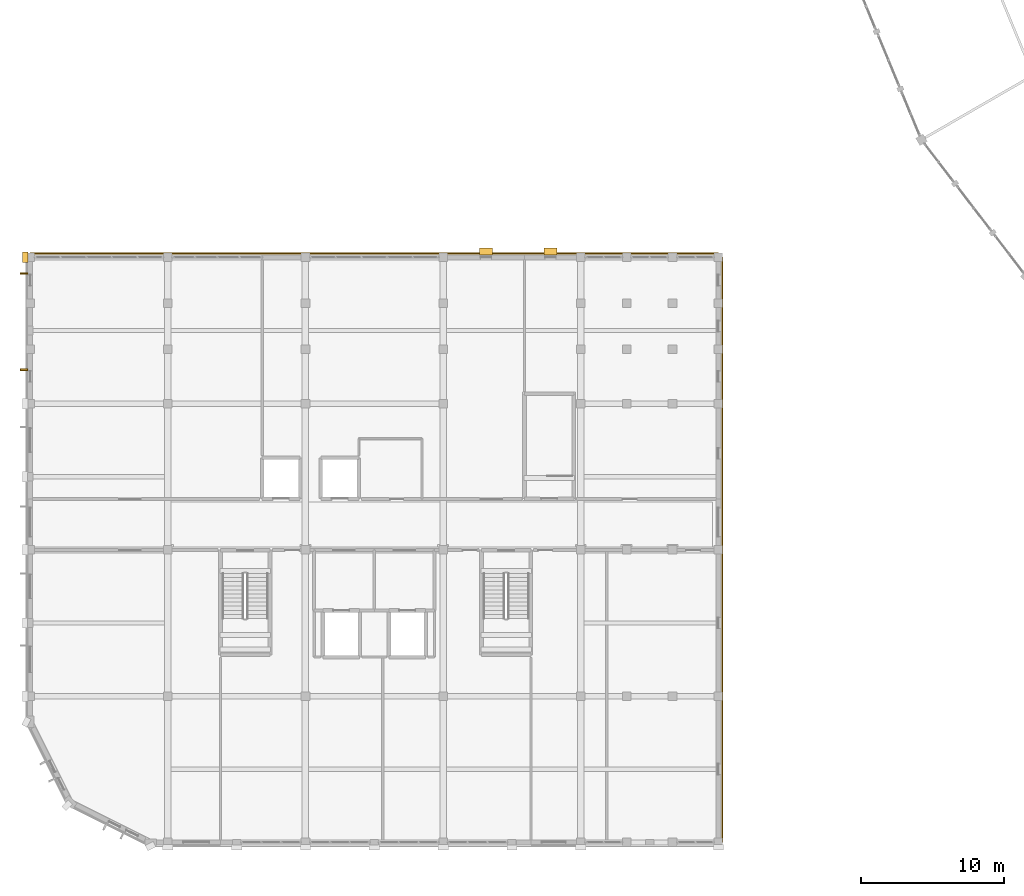
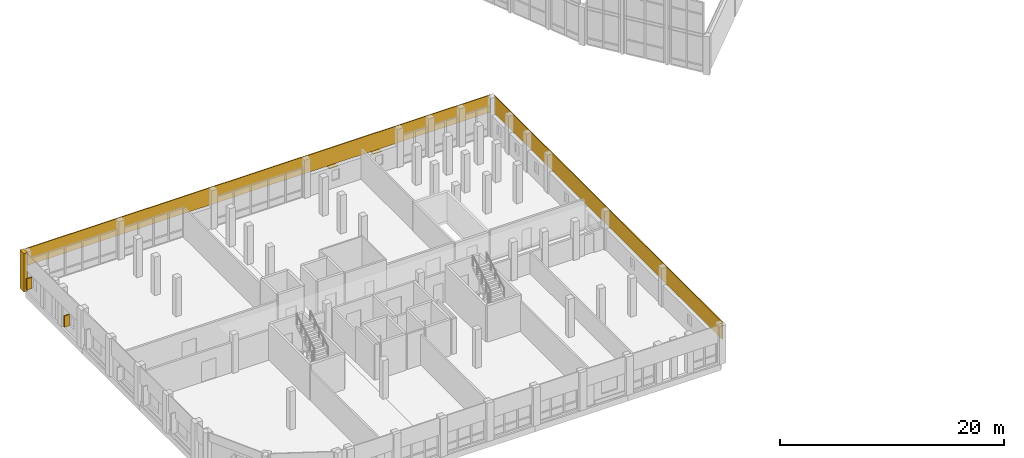
# One storey, part 91 of 93: 4 shading devices, 3 coverings.
"""IFC4 building model written with IfcOpenShell, lengths in metres."""

import ifcopenshell
import ifcopenshell.guid

model = None  # the IFC model being written
_history = None  # IfcOwnerHistory: only IFC2X3 demands one
_inside = {}  # id of a spatial element -> (the spatial element, [elements in it])
_under = {}  # id of a project, library or spatial element -> (it, [spatial elements below it])
_declared = {}  # id of a project -> (the project, [libraries it declares])
_typed = {}  # id of a type object -> (the type object, [elements of that type])
_made_of = {}  # id of a material, layer set ... -> (it, [elements and type objects made of it])


def new_model(schema):
    """Start an empty IFC model of exactly this schema.

    Asked for "IFC4X3", IfcOpenShell would pick the latest addendum, in which some entities
    have other attributes; the version numbers below select the first issue.
    IFC2X3 requires an IfcOwnerHistory on every rooted entity: one is made here for all.
    """
    global model, _history
    if schema == "IFC4X3":
        model = ifcopenshell.file(schema_version=(4, 3, 0, 0))
    else:
        model = ifcopenshell.file(schema=schema)
    _inside.clear()
    _under.clear()
    _declared.clear()
    _typed.clear()
    _made_of.clear()
    _history = None
    if model.schema == "IFC2X3":
        org = make("IfcOrganization", Name="unknown")
        user = make(
            "IfcPersonAndOrganization",
            ThePerson=make("IfcPerson", FamilyName="unknown"),
            TheOrganization=org,
        )
        app = make(
            "IfcApplication",
            ApplicationDeveloper=org,
            Version="unknown",
            ApplicationFullName="unknown",
            ApplicationIdentifier="unknown",
        )
        _history = make(
            "IfcOwnerHistory",
            OwningUser=user,
            OwningApplication=app,
            ChangeAction="ADDED",
            CreationDate=0,
        )
    return model


def make(cls, **values):
    """One entity of the class cls with the attributes given. An attribute that is None is left unset."""
    return model.create_entity(
        cls, **{name: value for name, value in values.items() if value is not None}
    )


def rooted(cls, **values):
    """An entity with a GlobalId (a new one), such as an element, a storey or a relation."""
    return make(cls, GlobalId=ifcopenshell.guid.new(), OwnerHistory=_history, **values)


def si_unit(unit_type, name, prefix=None):
    """IfcSIUnit, for example si_unit("LENGTHUNIT", "METRE", prefix="MILLI")."""
    return make("IfcSIUnit", UnitType=unit_type, Prefix=prefix, Name=name)


def assignment(units):
    """IfcUnitAssignment: the units of a project."""
    return None if units is None else make("IfcUnitAssignment", Units=units)


def point(xyz):
    """IfcCartesianPoint."""
    return None if xyz is None else make("IfcCartesianPoint", Coordinates=xyz)


def direction(xyz):
    """IfcDirection."""
    return None if xyz is None else make("IfcDirection", DirectionRatios=xyz)


def frame(location, z_axis=None, x_axis=None):
    """IfcAxis2Placement3D, a coordinate frame: its origin and axes. An axis left out is left unset."""
    return make(
        "IfcAxis2Placement3D",
        Location=point(location),
        Axis=direction(z_axis),
        RefDirection=direction(x_axis),
    )


def frame_2d(location, x_axis=None):
    """IfcAxis2Placement2D, a coordinate frame in the plane: its origin and x axis."""
    return make(
        "IfcAxis2Placement2D", Location=point(location), RefDirection=direction(x_axis)
    )


def origin():
    """The frame at (0, 0, 0) with its axes left unset."""
    return frame((0.0, 0.0, 0.0))


def origin_2d():
    """The frame at (0, 0) in the plane with its x axis left unset."""
    return frame_2d((0.0, 0.0))


def place(relative_to, where):
    """IfcLocalPlacement: puts the frame where relative to a parent placement (None: the world)."""
    return make(
        "IfcLocalPlacement", PlacementRelTo=relative_to, RelativePlacement=where
    )


def context(
    kind, dimensions, precision=None, world=None, true_north=None, identifier=None
):
    """IfcGeometricRepresentationContext, for example the 3D "Model" context."""
    return make(
        "IfcGeometricRepresentationContext",
        ContextIdentifier=identifier,
        ContextType=kind,
        CoordinateSpaceDimension=dimensions,
        Precision=precision,
        WorldCoordinateSystem=world,
        TrueNorth=true_north,
    )


def subcontext(parent, identifier, kind, view, scale=None):
    """IfcGeometricRepresentationSubContext, for example "Body" below "Model"."""
    return make(
        "IfcGeometricRepresentationSubContext",
        ContextIdentifier=identifier,
        ContextType=kind,
        ParentContext=parent,
        TargetScale=scale,
        TargetView=view,
    )


def project(units=None, contexts=None):
    """IfcProject with its units and contexts."""
    return rooted(
        "IfcProject",
        Name="project",
        RepresentationContexts=contexts,
        UnitsInContext=assignment(units),
    )


def spatial(cls, under=None, at=None, **own):
    """A site, building, storey or space (cls), placed at a placement, below another one or the project."""
    s = rooted(cls, ObjectPlacement=at, **own)
    if under is not None:
        _under.setdefault(under.id(), (under, []))[1].append(s)
    return s


def profile(cls, at=None, kind="AREA", **sizes):
    """A parametric profile (cls). Its sizes go by their IFC names, for example OverallWidth=200.0."""
    return make(cls, ProfileType=kind, Position=at, **sizes)


def rectangle(**sizes):
    """IfcRectangleProfileDef."""
    return profile("IfcRectangleProfileDef", **sizes)


def extrude(swept, where, along, depth):
    """IfcExtrudedAreaSolid: the profile swept, set in the frame where, extruded along a direction by depth."""
    return make(
        "IfcExtrudedAreaSolid",
        SweptArea=swept,
        Position=where,
        ExtrudedDirection=direction(along),
        Depth=depth,
    )


def shape(context_of_items, identifier, shape_type, items):
    """IfcShapeRepresentation: the items that make up one representation, for example the "Body"."""
    return make(
        "IfcShapeRepresentation",
        ContextOfItems=context_of_items,
        RepresentationIdentifier=identifier,
        RepresentationType=shape_type,
        Items=items,
    )


def material(Name=None, Category=None):
    """IfcMaterial."""
    return make("IfcMaterial", Name=Name, Category=Category)


def layer(
    of_material, thickness, ventilated=None, Name=None, Category=None, Priority=None
):
    """IfcMaterialLayer: one layer of a wall or slab, of a material (None: an air gap)."""
    return make(
        "IfcMaterialLayer",
        Material=of_material,
        LayerThickness=thickness,
        IsVentilated=ventilated,
        Name=Name,
        Category=Category,
        Priority=Priority,
    )


def layer_set(layers, Name=None):
    """IfcMaterialLayerSet."""
    return make("IfcMaterialLayerSet", MaterialLayers=layers, LayerSetName=Name)


def made_of(thing, what):
    """Note that an element or type object is made of a material, layer set ...; save() writes the relation."""
    if what is not None:
        _made_of.setdefault(what.id(), (what, []))[1].append(thing)
    return thing


def type_object(cls, material=None, **own):
    """A type object (cls), such as IfcWallType, which elements share."""
    return made_of(rooted(cls, **own), material)


def element(
    cls,
    number,
    at=None,
    inside=None,
    cuts=None,
    type_object=None,
    material=None,
    context=None,
    identifier="Body",
    shape_type=None,
    held_by="IfcProductDefinitionShape",
    body=None,
    shapes=None,
    **own,
):
    """One element of the class cls, such as IfcWall. Its Tag is "e" and its number.

    at: its placement. inside: the storey or other place that contains it. cuts: it is an
    opening in that element (IfcRelVoidsElement). A single representation is given by context,
    identifier, shape_type and body (its items); several are given by shapes. held_by: the class
    of the entity that holds the representations. save() writes the other relations.
    """
    e = rooted(cls, Tag="e%d" % number, ObjectPlacement=at, **own)
    if body is not None:
        shapes = [shape(context, identifier, shape_type, body)]
    if shapes is not None:
        e.Representation = make(held_by, Representations=shapes)
    if inside is not None:
        _inside.setdefault(inside.id(), (inside, []))[1].append(e)
    if cuts is not None:
        rooted(
            "IfcRelVoidsElement", RelatingBuildingElement=cuts, RelatedOpeningElement=e
        )
    if type_object is not None:
        _typed.setdefault(type_object.id(), (type_object, []))[1].append(e)
    return made_of(e, material)


def aggregate(whole, parts):
    """IfcRelAggregates: a whole, such as a stair, and the parts it consists of."""
    return rooted("IfcRelAggregates", RelatingObject=whole, RelatedObjects=parts)


def save(model, path):
    """Write the relations noted so far, then the file.

    IfcRelAggregates (storeys below a building ...), IfcRelContainedInSpatialStructure (elements
    in a storey), IfcRelDefinesByType, IfcRelAssociatesMaterial and IfcRelDeclares: one each for
    every whole, place, type object, material and project.
    """
    for whole, parts in _under.values():
        aggregate(whole, parts)
    for where, things in _inside.values():
        rooted(
            "IfcRelContainedInSpatialStructure",
            RelatedElements=things,
            RelatingStructure=where,
        )
    for kind, things in _typed.values():
        rooted("IfcRelDefinesByType", RelatedObjects=things, RelatingType=kind)
    for what, things in _made_of.values():
        rooted("IfcRelAssociatesMaterial", RelatedObjects=things, RelatingMaterial=what)
    for by, libraries in _declared.values():
        rooted("IfcRelDeclares", RelatingContext=by, RelatedDefinitions=libraries)
    model.write(path)


model = new_model("IFC4")

# Units and contexts
model_context = context("Model", 3, precision=1e-05, world=origin(), true_north=direction((0.0, 1.0)))
body_context = subcontext(model_context, "Body", "Model", "MODEL_VIEW")
ifc_project = project(units=[si_unit("LENGTHUNIT", "METRE"), si_unit("AREAUNIT", "SQUARE_METRE"), si_unit("VOLUMEUNIT", "CUBIC_METRE"), si_unit("PLANEANGLEUNIT", "RADIAN"), si_unit("MASSUNIT", "GRAM", prefix="KILO")], contexts=[model_context])

# Site, building, storey
site_placement = place(None, origin())
site = spatial("IfcSite", under=ifc_project, at=site_placement, CompositionType="ELEMENT")
building_placement = place(site_placement, origin())
building = spatial("IfcBuilding", under=site, at=building_placement, Name="Vondelvale Polytechnic", CompositionType="ELEMENT")
storey_placement = place(building_placement, frame((0.0, 0.0, 18.0)))
storey = spatial("IfcBuildingStorey", under=building, at=storey_placement, Name="L04", CompositionType="ELEMENT", Elevation=18.0)

# Coverings
ifc_material_1 = material(Name="Amsterdam School iron-spot clinker clay brickwork", Category="masonry")
ifc_layer = layer(ifc_material_1, 0.090087890625)
ifc_layer_set = layer_set([ifc_layer], Name="COV-BRICK-RELIEF")
covering_type = type_object("IfcCoveringType", Name="COV-BRICK-RELIEF", PredefinedType="CLADDING", material=ifc_layer_set)
covering_1_placement = place(storey_placement, frame((48.264892578125, 20.39990234375, 2.320068359375), z_axis=(0.0, 0.0, 1.0), x_axis=(0.0, 1.0, 0.0)))
element("IfcCovering", 1, at=covering_1_placement, inside=storey, type_object=covering_type, Name="L04 exterior masonry spandrel band", PredefinedType="CLADDING", context=body_context, shape_type="SweptSolid", body=[
    extrude(rectangle(XDim=40.800048828125, YDim=0.090087890625, at=origin_2d()), origin(), (0.0, 0.0, 1.0), 1.8798828125),
])
covering_2_placement = place(storey_placement, frame((24.0, 41.06494140625, 2.320068359375), z_axis=(0.0, 0.0, 1.0), x_axis=(1.0, 0.0, 0.0)))
element("IfcCovering", 2, at=covering_2_placement, inside=storey, type_object=covering_type, Name="L04 exterior masonry spandrel band", PredefinedType="CLADDING", context=body_context, shape_type="SweptSolid", body=[
    extrude(rectangle(XDim=48.0, YDim=0.090087890625, at=origin_2d()), origin(), (0.0, 0.0, 1.0), 1.8798828125),
])
covering_3_placement = place(storey_placement, frame((-0.340087890625, 40.800048828125, 0.0), z_axis=(0.0, 0.0, 1.0), x_axis=(1.0, 0.0, 0.0)))
element("IfcCovering", 3, at=covering_3_placement, inside=storey, type_object=covering_type, Name="L04 Classical street pilaster", PredefinedType="CLADDING", context=body_context, shape_type="SweptSolid", body=[
    extrude(rectangle(XDim=0.360107421875, YDim=0.719970703125, at=origin_2d()), origin(), (0.0, 0.0, 1.0), 4.199951171875),
])

# Shading devices
ifc_material_2 = material(Name="Anodised extruded aluminium 6063-T6", Category="aluminium")
shading_device_type_1 = type_object("IfcShadingDeviceType", Name="SHD-BRONZE-LOUVRE", PredefinedType="SHUTTER", material=ifc_material_2)
for number, where, z_axis, x_axis, name in (
    (4, (31.7880859375, 41.199951171875, 1.95751953125), (0.0, 0.0, 1.0), (1.0, 0.0, 0.0), "L04 horizontal bronze sun-louvre overhang"),
    (5, (36.287109375, 41.199951171875, 1.95751953125), (0.0, 0.0, 1.0), (1.0, 0.0, 0.0), "L04 horizontal bronze sun-louvre overhang"),
):
    element("IfcShadingDevice", number, at=place(storey_placement, frame(where, z_axis=z_axis, x_axis=x_axis)), inside=storey, type_object=shading_device_type_1, Name=name, PredefinedType="SHUTTER", context=body_context, shape_type="SweptSolid", body=[
        extrude(rectangle(XDim=0.909912109375, YDim=0.47998046875, at=origin_2d()), origin(), (0.0, 0.0, 1.0), 0.0849609375),
    ])
ifc_material_3 = material(Name="Kiln-fired architectural terracotta", Category="masonry")
shading_device_type_2 = type_object("IfcShadingDeviceType", Name="SHD-TERRA-FIN-550", PredefinedType="JALOUSIE", material=ifc_material_3)
for number, where, z_axis, x_axis, name in (
    (6, (-0.43505859375, 32.965087890625, 0.7900390625), (0.0, 0.0, 1.0), (0.0, 1.0, 0.0), "L04 vertical terracotta solar fin"),
    (7, (-0.43505859375, 39.6650390625, 0.7900390625), (0.0, 0.0, 1.0), (0.0, 1.0, 0.0), "L04 vertical terracotta solar fin"),
):
    element("IfcShadingDevice", number, at=place(storey_placement, frame(where, z_axis=z_axis, x_axis=x_axis)), inside=storey, type_object=shading_device_type_2, Name=name, PredefinedType="JALOUSIE", context=body_context, shape_type="SweptSolid", body=[
        extrude(rectangle(XDim=0.110107421875, YDim=0.550048828125, at=origin_2d()), origin(), (0.0, 0.0, 1.0), 1.219970703125),
    ])

save(model, "model.ifc")
